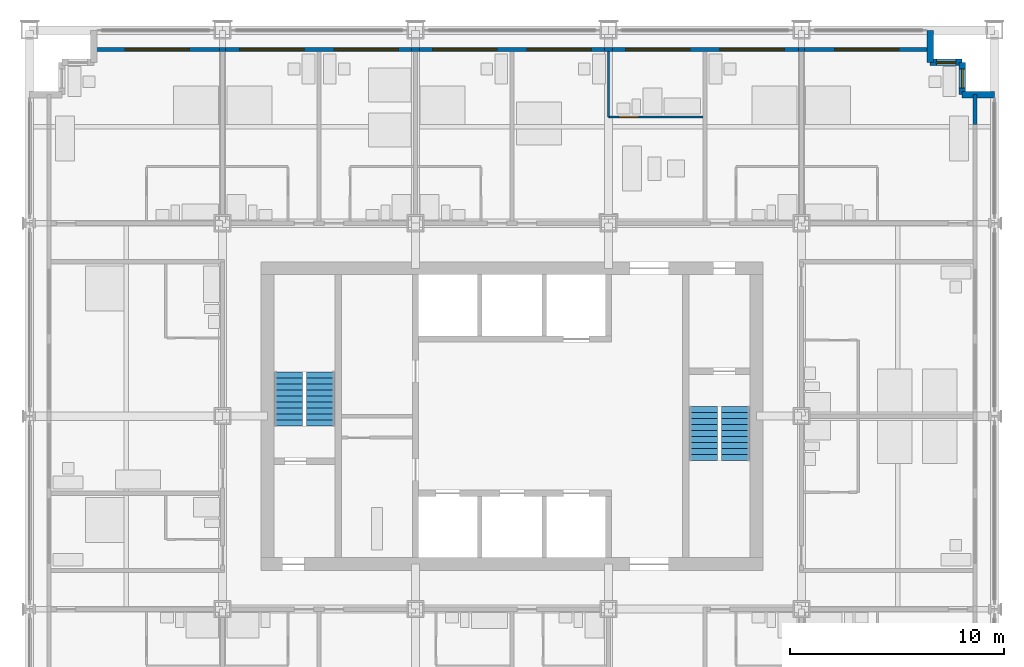
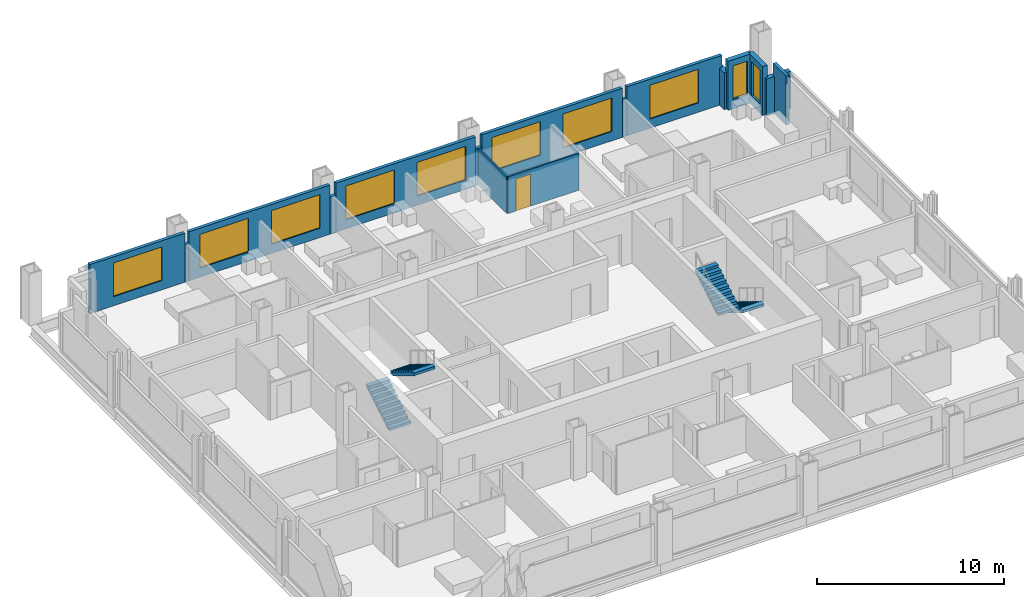
# One storey, part 13 of 16: 16 walls, 10 windows, 4 stair flights, 1 door, 11 openings, 2 elements without a shape of their own.
"""IFC4 building model written with IfcOpenShell, lengths in metres."""

from ifc_helpers import new_model, si_unit, direction, frame, frame_2d, origin, place, context, subcontext, project, spatial, polyline, rectangle, outline, extrude, material, layer, layer_set, type_object, element, fill, aggregate, save


model = new_model("IFC4")

# Units and contexts
model_context = context("Model", 3, precision=1e-05, world=origin(), true_north=direction((0.0, 1.0)))
body_context = subcontext(model_context, "Body", "Model", "MODEL_VIEW")
ifc_project = project(units=[si_unit("LENGTHUNIT", "METRE"), si_unit("AREAUNIT", "SQUARE_METRE"), si_unit("VOLUMEUNIT", "CUBIC_METRE"), si_unit("PLANEANGLEUNIT", "RADIAN"), si_unit("MASSUNIT", "GRAM", prefix="KILO")], contexts=[model_context])

# Site, building, storey
site_placement = place(None, origin())
site = spatial("IfcSite", under=ifc_project, at=site_placement, CompositionType="ELEMENT")
building_placement = place(site_placement, origin())
building = spatial("IfcBuilding", under=site, at=building_placement, Name="Loomwork Tower", CompositionType="ELEMENT")
storey_placement = place(building_placement, frame((0.0, 0.0, 101.0)))
storey = spatial("IfcBuildingStorey", under=building, at=storey_placement, Name="L26", CompositionType="ELEMENT", Elevation=101.0)

# Wall, opening, door
ifc_material_1 = material(Name="Cement board on steel studs", Category="steel")
ifc_layer_1 = layer(ifc_material_1, 0.10009765625)
ifc_layer_set_1 = layer_set([ifc_layer_1], Name="En-suite partition 100")
wall_type_1 = type_object("IfcWallType", Name="En-suite partition 100", PredefinedType="PARTITIONING", material=ifc_layer_set_1)
wall_1_placement = place(storey_placement, frame((27.0, 31.949951171875, 0.0), z_axis=(0.0, 0.0, 1.0), x_axis=(1.0, 0.0, 0.0)))
wall_1 = element("IfcWall", 1, at=wall_1_placement, inside=storey, type_object=wall_type_1, Name="Spa bathroom wall L26 room 11", PredefinedType="PARTITIONING", context=body_context, shape_type="SweptSolid", body=[
    extrude(rectangle(XDim=4.39990234375, YDim=0.10009765625, at=frame_2d((2.199951171875, 0.0))), origin(), (0.0, 0.0, 1.0), 2.404052734375),
])
opening_1_placement = place(wall_1_placement, frame((0.5, 0.0, 0.0)))
opening_1 = element("IfcOpeningElement", 2, at=opening_1_placement, cuts=wall_1, Name="Opening D2", PredefinedType="OPENING", context=body_context, shape_type="SweptSolid", body=[
    extrude(rectangle(XDim=0.89990234375, YDim=2.10009765625, at=frame_2d((0.449951171875, 1.050048828125))), frame((0.0, 0.06005859375, 0.0), z_axis=(0.0, -1.0, 0.0), x_axis=(1.0, 0.0, 0.0)), (0.0, 0.0, 1.0), 0.1201171875),
])
ifc_material_2 = material(Name="Hollow metal door and frame")
door_type = type_object("IfcDoorType", Name="En-suite door 900", OperationType="SINGLE_SWING_LEFT", PredefinedType="DOOR", material=ifc_material_2)
door_placement = place(opening_1_placement, origin())
door = element("IfcDoor", 3, at=door_placement, inside=storey, type_object=door_type, Name="Spa bathroom door room 11", OperationType="SINGLE_SWING_LEFT", OverallHeight=2.10009765625, OverallWidth=0.89990234375, PredefinedType="DOOR", context=body_context, shape_type="SweptSolid", body=[
    extrude(rectangle(XDim=0.89990234375, YDim=2.10009765625, at=frame_2d((0.449951171875, 1.050048828125))), frame((0.0, 0.02490234375, 0.0), z_axis=(0.0, -1.0, 0.0), x_axis=(1.0, 0.0, 0.0)), (0.0, 0.0, 1.0), 0.050048828125),
])
fill(opening_1, door)

# Wall
wall_2_placement = place(storey_placement, frame((27.0, 31.949951171875, 0.0), z_axis=(0.0, 0.0, 1.0), x_axis=(0.0, 1.0, 0.0)))
element("IfcWall", 4, at=wall_2_placement, inside=storey, type_object=wall_type_1, Name="Spa bathroom side wall L26 room 11", PredefinedType="PARTITIONING", context=body_context, shape_type="SweptSolid", body=[
    extrude(rectangle(XDim=3.050048828125, YDim=0.10009765625, at=frame_2d((1.52490234375, 0.0))), origin(), (0.0, 0.0, 1.0), 2.405029296875),
])

# Wall, opening, window
ifc_material_3 = material(Name="Insulated steel stud wall with gypsum lining", Category="steel")
ifc_layer_2 = layer(ifc_material_3, 0.199951171875)
ifc_layer_set_2 = layer_set([ifc_layer_2], Name="Inner skin wall 200")
wall_type_2 = type_object("IfcWallType", Name="Inner skin wall 200", PredefinedType="SOLIDWALL", material=ifc_layer_set_2)
wall_3_placement = place(storey_placement, frame((3.0, 35.10009765625, 0.0), z_axis=(0.0, 0.0, 1.0), x_axis=(1.0, 0.0, 0.0)))
wall_3 = element("IfcWall", 5, at=wall_3_placement, inside=storey, type_object=wall_type_2, Name="Inner skin wall N", PredefinedType="SOLIDWALL", context=body_context, shape_type="SweptSolid", body=[
    extrude(rectangle(XDim=5.86474609375, YDim=0.199951171875, at=frame_2d((2.932373046875, 0.0))), origin(), (0.0, 0.0, 1.0), 3.199951171875),
])
opening_2_placement = place(wall_3_placement, frame((1.449951171875, 0.0, 0.60009765625)))
opening_2 = element("IfcOpeningElement", 6, at=opening_2_placement, cuts=wall_3, Name="Opening CH1", PredefinedType="OPENING", context=body_context, shape_type="SweptSolid", body=[
    extrude(rectangle(XDim=3.0, YDim=2.199951171875, at=frame_2d((1.5, 1.10009765625))), frame((0.0, 0.10986328125, 0.0), z_axis=(0.0, -1.0, 0.0), x_axis=(1.0, 0.0, 0.0)), (0.0, 0.0, 1.0), 0.219970703125),
])
ifc_material_4 = material(Name="Aluminium frame with clear insulated glass", Category="aluminium")
window_type_1 = type_object("IfcWindowType", Name="Chicago window 3000", PartitioningType="TRIPLE_PANEL_VERTICAL", PredefinedType="WINDOW", material=ifc_material_4)
window_1_placement = place(opening_2_placement, origin())
window_1 = element("IfcWindow", 7, at=window_1_placement, inside=storey, type_object=window_type_1, Name="Chicago window L26 bay 6", OverallHeight=2.199951171875, OverallWidth=3.0, PartitioningType="TRIPLE_PANEL_VERTICAL", PredefinedType="WINDOW", context=body_context, shape_type="SweptSolid", body=[
    extrude(rectangle(XDim=3.0, YDim=2.199951171875, at=frame_2d((1.5, 1.10009765625))), frame((0.0, 0.030029296875, 0.0), z_axis=(0.0, -1.0, 0.0), x_axis=(1.0, 0.0, 0.0)), (0.0, 0.0, 1.0), 0.06005859375),
])
fill(opening_2, window_1)

# Wall
wall_4_placement = place(storey_placement, frame((8.86474609375, 35.10009765625, 0.0), z_axis=(0.0, 0.0, 1.0), x_axis=(1.0, 0.0, 0.0)))
element("IfcWall", 8, at=wall_4_placement, inside=storey, type_object=wall_type_2, Name="Inner skin wall N bay 2", PredefinedType="SOLIDWALL", context=body_context, shape_type="SweptSolid", body=[
    extrude(rectangle(XDim=0.2705078125, YDim=0.199951171875, at=frame_2d((0.13525390625, 0.0))), origin(), (0.0, 0.0, 1.0), 2.43798828125),
])

# Wall, openings, windows
wall_5_placement = place(storey_placement, frame((9.13525390625, 35.10009765625, 0.0), z_axis=(0.0, 0.0, 1.0), x_axis=(1.0, 0.0, 0.0)))
wall_5 = element("IfcWall", 9, at=wall_5_placement, inside=storey, type_object=wall_type_2, Name="Inner skin wall N bay 3", PredefinedType="SOLIDWALL", context=body_context, shape_type="SweptSolid", body=[
    extrude(rectangle(XDim=8.6708984375, YDim=0.199951171875, at=frame_2d((4.33544921875, 0.0))), origin(), (0.0, 0.0, 1.0), 3.199951171875),
])
opening_3_placement = place(wall_5_placement, frame((0.664794921875, 0.0, 0.60009765625)))
opening_3 = element("IfcOpeningElement", 10, at=opening_3_placement, cuts=wall_5, Name="Opening CH1", PredefinedType="OPENING", context=body_context, shape_type="SweptSolid", body=[
    extrude(rectangle(XDim=3.0, YDim=2.199951171875, at=frame_2d((1.5, 1.10009765625))), frame((0.0, 0.10986328125, 0.0), z_axis=(0.0, -1.0, 0.0), x_axis=(1.0, 0.0, 0.0)), (0.0, 0.0, 1.0), 0.219970703125),
])
opening_4_placement = place(wall_5_placement, frame((5.064697265625, 0.0, 0.60009765625)))
opening_4 = element("IfcOpeningElement", 11, at=opening_4_placement, cuts=wall_5, Name="Opening CH1", PredefinedType="OPENING", context=body_context, shape_type="SweptSolid", body=[
    extrude(rectangle(XDim=3.0, YDim=2.199951171875, at=frame_2d((1.5, 1.10009765625))), frame((0.0, 0.10986328125, 0.0), z_axis=(0.0, -1.0, 0.0), x_axis=(1.0, 0.0, 0.0)), (0.0, 0.0, 1.0), 0.219970703125),
])
window_2_placement = place(opening_3_placement, origin())
window_2 = element("IfcWindow", 12, at=window_2_placement, inside=storey, type_object=window_type_1, Name="Chicago window L26 bay 7", OverallHeight=2.199951171875, OverallWidth=3.0, PartitioningType="TRIPLE_PANEL_VERTICAL", PredefinedType="WINDOW", context=body_context, shape_type="SweptSolid", body=[
    extrude(rectangle(XDim=3.0, YDim=2.199951171875, at=frame_2d((1.5, 1.10009765625))), frame((0.0, 0.030029296875, 0.0), z_axis=(0.0, -1.0, 0.0), x_axis=(1.0, 0.0, 0.0)), (0.0, 0.0, 1.0), 0.06005859375),
])
fill(opening_3, window_2)
window_3_placement = place(opening_4_placement, origin())
window_3 = element("IfcWindow", 13, at=window_3_placement, inside=storey, type_object=window_type_1, Name="Chicago window L26 bay 7", OverallHeight=2.199951171875, OverallWidth=3.0, PartitioningType="TRIPLE_PANEL_VERTICAL", PredefinedType="WINDOW", context=body_context, shape_type="SweptSolid", body=[
    extrude(rectangle(XDim=3.0, YDim=2.199951171875, at=frame_2d((1.5, 1.10009765625))), frame((0.0, 0.030029296875, 0.0), z_axis=(0.0, -1.0, 0.0), x_axis=(1.0, 0.0, 0.0)), (0.0, 0.0, 1.0), 0.06005859375),
])
fill(opening_4, window_3)

# Wall
wall_6_placement = place(storey_placement, frame((17.80615234375, 35.10009765625, 0.0), z_axis=(0.0, 0.0, 1.0), x_axis=(1.0, 0.0, 0.0)))
element("IfcWall", 14, at=wall_6_placement, inside=storey, type_object=wall_type_2, Name="Inner skin wall N bay 4", PredefinedType="SOLIDWALL", context=body_context, shape_type="SweptSolid", body=[
    extrude(rectangle(XDim=0.3876953125, YDim=0.199951171875, at=frame_2d((0.19384765625, 0.0))), origin(), (0.0, 0.0, 1.0), 2.404052734375),
])

# Wall, openings, windows
wall_7_placement = place(storey_placement, frame((18.19384765625, 35.10009765625, 0.0), z_axis=(0.0, 0.0, 1.0), x_axis=(1.0, 0.0, 0.0)))
wall_7 = element("IfcWall", 15, at=wall_7_placement, inside=storey, type_object=wall_type_2, Name="Inner skin wall N bay 5", PredefinedType="SOLIDWALL", context=body_context, shape_type="SweptSolid", body=[
    extrude(rectangle(XDim=8.6123046875, YDim=0.199951171875, at=frame_2d((4.30615234375, 0.0))), origin(), (0.0, 0.0, 1.0), 3.199951171875),
])
opening_5_placement = place(wall_7_placement, frame((0.606201171875, 0.0, 0.60009765625)))
opening_5 = element("IfcOpeningElement", 16, at=opening_5_placement, cuts=wall_7, Name="Opening CH1", PredefinedType="OPENING", context=body_context, shape_type="SweptSolid", body=[
    extrude(rectangle(XDim=3.0, YDim=2.199951171875, at=frame_2d((1.5, 1.10009765625))), frame((0.0, 0.10986328125, 0.0), z_axis=(0.0, -1.0, 0.0), x_axis=(1.0, 0.0, 0.0)), (0.0, 0.0, 1.0), 0.219970703125),
])
opening_6_placement = place(wall_7_placement, frame((5.006103515625, 0.0, 0.60009765625)))
opening_6 = element("IfcOpeningElement", 17, at=opening_6_placement, cuts=wall_7, Name="Opening CH1", PredefinedType="OPENING", context=body_context, shape_type="SweptSolid", body=[
    extrude(rectangle(XDim=3.0, YDim=2.199951171875, at=frame_2d((1.5, 1.10009765625))), frame((0.0, 0.10986328125, 0.0), z_axis=(0.0, -1.0, 0.0), x_axis=(1.0, 0.0, 0.0)), (0.0, 0.0, 1.0), 0.219970703125),
])
window_4_placement = place(opening_5_placement, origin())
window_4 = element("IfcWindow", 18, at=window_4_placement, inside=storey, type_object=window_type_1, Name="Chicago window L26 bay 8", OverallHeight=2.199951171875, OverallWidth=3.0, PartitioningType="TRIPLE_PANEL_VERTICAL", PredefinedType="WINDOW", context=body_context, shape_type="SweptSolid", body=[
    extrude(rectangle(XDim=3.0, YDim=2.199951171875, at=frame_2d((1.5, 1.10009765625))), frame((0.0, 0.030029296875, 0.0), z_axis=(0.0, -1.0, 0.0), x_axis=(1.0, 0.0, 0.0)), (0.0, 0.0, 1.0), 0.06005859375),
])
fill(opening_5, window_4)
window_5_placement = place(opening_6_placement, origin())
window_5 = element("IfcWindow", 19, at=window_5_placement, inside=storey, type_object=window_type_1, Name="Chicago window L26 bay 8", OverallHeight=2.199951171875, OverallWidth=3.0, PartitioningType="TRIPLE_PANEL_VERTICAL", PredefinedType="WINDOW", context=body_context, shape_type="SweptSolid", body=[
    extrude(rectangle(XDim=3.0, YDim=2.199951171875, at=frame_2d((1.5, 1.10009765625))), frame((0.0, 0.030029296875, 0.0), z_axis=(0.0, -1.0, 0.0), x_axis=(1.0, 0.0, 0.0)), (0.0, 0.0, 1.0), 0.06005859375),
])
fill(opening_6, window_5)

# Wall
wall_8_placement = place(storey_placement, frame((26.80615234375, 35.10009765625, 0.0), z_axis=(0.0, 0.0, 1.0), x_axis=(1.0, 0.0, 0.0)))
element("IfcWall", 20, at=wall_8_placement, inside=storey, type_object=wall_type_2, Name="Inner skin wall N bay 6", PredefinedType="SOLIDWALL", context=body_context, shape_type="SweptSolid", body=[
    extrude(rectangle(XDim=0.3876953125, YDim=0.199951171875, at=frame_2d((0.19384765625, 0.0))), origin(), (0.0, 0.0, 1.0), 2.404052734375),
])

# Wall, openings, windows
wall_9_placement = place(storey_placement, frame((27.19384765625, 35.10009765625, 0.0), z_axis=(0.0, 0.0, 1.0), x_axis=(1.0, 0.0, 0.0)))
wall_9 = element("IfcWall", 21, at=wall_9_placement, inside=storey, type_object=wall_type_2, Name="Inner skin wall N bay 7", PredefinedType="SOLIDWALL", context=body_context, shape_type="SweptSolid", body=[
    extrude(rectangle(XDim=8.670654296875, YDim=0.199951171875, at=frame_2d((4.33544921875, 0.0))), origin(), (0.0, 0.0, 1.0), 3.199951171875),
])
opening_7_placement = place(wall_9_placement, frame((0.606201171875, 0.0, 0.60009765625)))
opening_7 = element("IfcOpeningElement", 22, at=opening_7_placement, cuts=wall_9, Name="Opening CH1", PredefinedType="OPENING", context=body_context, shape_type="SweptSolid", body=[
    extrude(rectangle(XDim=3.0, YDim=2.199951171875, at=frame_2d((1.5, 1.10009765625))), frame((0.0, 0.10986328125, 0.0), z_axis=(0.0, -1.0, 0.0), x_axis=(1.0, 0.0, 0.0)), (0.0, 0.0, 1.0), 0.219970703125),
])
opening_8_placement = place(wall_9_placement, frame((5.006103515625, 0.0, 0.60009765625)))
opening_8 = element("IfcOpeningElement", 23, at=opening_8_placement, cuts=wall_9, Name="Opening CH1", PredefinedType="OPENING", context=body_context, shape_type="SweptSolid", body=[
    extrude(rectangle(XDim=3.0, YDim=2.199951171875, at=frame_2d((1.5, 1.10009765625))), frame((0.0, 0.10986328125, 0.0), z_axis=(0.0, -1.0, 0.0), x_axis=(1.0, 0.0, 0.0)), (0.0, 0.0, 1.0), 0.219970703125),
])
window_6_placement = place(opening_7_placement, origin())
window_6 = element("IfcWindow", 24, at=window_6_placement, inside=storey, type_object=window_type_1, Name="Chicago window L26 bay 9", OverallHeight=2.199951171875, OverallWidth=3.0, PartitioningType="TRIPLE_PANEL_VERTICAL", PredefinedType="WINDOW", context=body_context, shape_type="SweptSolid", body=[
    extrude(rectangle(XDim=3.0, YDim=2.199951171875, at=frame_2d((1.5, 1.10009765625))), frame((0.0, 0.030029296875, 0.0), z_axis=(0.0, -1.0, 0.0), x_axis=(1.0, 0.0, 0.0)), (0.0, 0.0, 1.0), 0.06005859375),
])
fill(opening_7, window_6)
window_7_placement = place(opening_8_placement, origin())
window_7 = element("IfcWindow", 25, at=window_7_placement, inside=storey, type_object=window_type_1, Name="Chicago window L26 bay 9", OverallHeight=2.199951171875, OverallWidth=3.0, PartitioningType="TRIPLE_PANEL_VERTICAL", PredefinedType="WINDOW", context=body_context, shape_type="SweptSolid", body=[
    extrude(rectangle(XDim=3.0, YDim=2.199951171875, at=frame_2d((1.5, 1.10009765625))), frame((0.0, 0.030029296875, 0.0), z_axis=(0.0, -1.0, 0.0), x_axis=(1.0, 0.0, 0.0)), (0.0, 0.0, 1.0), 0.06005859375),
])
fill(opening_8, window_7)

# Wall
wall_10_placement = place(storey_placement, frame((35.864501953125, 35.10009765625, 0.0), z_axis=(0.0, 0.0, 1.0), x_axis=(1.0, 0.0, 0.0)))
element("IfcWall", 26, at=wall_10_placement, inside=storey, type_object=wall_type_2, Name="Inner skin wall N bay 8", PredefinedType="SOLIDWALL", context=body_context, shape_type="SweptSolid", body=[
    extrude(rectangle(XDim=0.27099609375, YDim=0.199951171875, at=frame_2d((0.135498046875, 0.0))), origin(), (0.0, 0.0, 1.0), 2.43798828125),
])

# Wall, opening, window
wall_11_placement = place(storey_placement, frame((36.135498046875, 35.10009765625, 0.0), z_axis=(0.0, 0.0, 1.0), x_axis=(1.0, 0.0, 0.0)))
wall_11 = element("IfcWall", 27, at=wall_11_placement, inside=storey, type_object=wall_type_2, Name="Inner skin wall N bay 9", PredefinedType="SOLIDWALL", context=body_context, shape_type="SweptSolid", body=[
    extrude(rectangle(XDim=5.864501953125, YDim=0.199951171875, at=frame_2d((2.93212890625, 0.0))), origin(), (0.0, 0.0, 1.0), 3.199951171875),
])
opening_9_placement = place(wall_11_placement, frame((1.41455078125, 0.0, 0.60009765625)))
opening_9 = element("IfcOpeningElement", 28, at=opening_9_placement, cuts=wall_11, Name="Opening CH1", PredefinedType="OPENING", context=body_context, shape_type="SweptSolid", body=[
    extrude(rectangle(XDim=3.0, YDim=2.199951171875, at=frame_2d((1.5, 1.10009765625))), frame((0.0, 0.10986328125, 0.0), z_axis=(0.0, -1.0, 0.0), x_axis=(1.0, 0.0, 0.0)), (0.0, 0.0, 1.0), 0.219970703125),
])
window_8_placement = place(opening_9_placement, origin())
window_8 = element("IfcWindow", 29, at=window_8_placement, inside=storey, type_object=window_type_1, Name="Chicago window L26 bay 10", OverallHeight=2.199951171875, OverallWidth=3.0, PartitioningType="TRIPLE_PANEL_VERTICAL", PredefinedType="WINDOW", context=body_context, shape_type="SweptSolid", body=[
    extrude(rectangle(XDim=3.0, YDim=2.199951171875, at=frame_2d((1.5, 1.10009765625))), frame((0.0, 0.030029296875, 0.0), z_axis=(0.0, -1.0, 0.0), x_axis=(1.0, 0.0, 0.0)), (0.0, 0.0, 1.0), 0.06005859375),
])
fill(opening_9, window_8)

# Walls
wall_12_placement = place(storey_placement, frame((44.10009765625, 31.607421875, 0.0), z_axis=(0.0, 0.0, 1.0), x_axis=(0.0, 1.0, 0.0)))
element("IfcWall", 30, at=wall_12_placement, inside=storey, type_object=wall_type_2, Name="Inner skin wall E bay 11", PredefinedType="SOLIDWALL", context=body_context, shape_type="SweptSolid", body=[
    extrude(rectangle(XDim=1.392578125, YDim=0.199951171875, at=frame_2d((0.6962890625, 0.0))), origin(), (0.0, 0.0, 1.0), 3.199951171875),
])
ifc_material_5 = material(Name="Limestone on concrete masonry", Category="masonry")
ifc_layer_3 = layer(ifc_material_5, 0.300048828125)
ifc_layer_set_3 = layer_set([ifc_layer_3], Name="Limestone corner wall 300")
wall_type_3 = type_object("IfcWallType", Name="Limestone corner wall 300", PredefinedType="SOLIDWALL", material=ifc_layer_set_3)
wall_13_placement = place(storey_placement, frame((45.0, 33.0, 0.0), z_axis=(0.0, 0.0, 1.0), x_axis=(-1.0, 0.0, 0.0)))
element("IfcWall", 31, at=wall_13_placement, inside=storey, type_object=wall_type_3, Name="Stone corner wall NE 1", PredefinedType="SOLIDWALL", context=body_context, shape_type="SweptSolid", body=[
    extrude(rectangle(XDim=1.5, YDim=0.300048828125, at=frame_2d((0.75, 0.0))), origin(), (0.0, 0.0, 1.0), 2.419921875),
])

# Wall, opening, window
wall_14_placement = place(storey_placement, frame((43.5, 33.0, 0.0), z_axis=(0.0, 0.0, 1.0), x_axis=(0.0, 1.0, 0.0)))
wall_14 = element("IfcWall", 32, at=wall_14_placement, inside=storey, type_object=wall_type_3, Name="Stone corner wall NE 2", PredefinedType="SOLIDWALL", context=body_context, shape_type="SweptSolid", body=[
    extrude(rectangle(XDim=1.5, YDim=0.300048828125, at=frame_2d((0.75, 0.0))), origin(), (0.0, 0.0, 1.0), 3.199951171875),
])
opening_10_placement = place(wall_14_placement, frame((0.300048828125, 0.0, 0.60009765625)))
opening_10 = element("IfcOpeningElement", 33, at=opening_10_placement, cuts=wall_14, Name="Opening CH2", PredefinedType="OPENING", context=body_context, shape_type="SweptSolid", body=[
    extrude(rectangle(XDim=0.89990234375, YDim=2.199951171875, at=frame_2d((0.449951171875, 1.10009765625))), frame((0.0, 0.159912109375, 0.0), z_axis=(0.0, -1.0, 0.0), x_axis=(1.0, 0.0, 0.0)), (0.0, 0.0, 1.0), 0.320068359375),
])
ifc_material_6 = material(Name="Aluminium frame with clear insulated glass", Category="aluminium")
window_type_2 = type_object("IfcWindowType", Name="Corner window 900", PartitioningType="SINGLE_PANEL", PredefinedType="WINDOW", material=ifc_material_6)
window_9_placement = place(opening_10_placement, origin())
window_9 = element("IfcWindow", 34, at=window_9_placement, inside=storey, type_object=window_type_2, Name="Corner window NE", OverallHeight=2.199951171875, OverallWidth=0.89990234375, PartitioningType="SINGLE_PANEL", PredefinedType="WINDOW", context=body_context, shape_type="SweptSolid", body=[
    extrude(rectangle(XDim=0.89990234375, YDim=2.199951171875, at=frame_2d((0.449951171875, 1.10009765625))), frame((0.0, 0.030029296875, 0.0), z_axis=(0.0, -1.0, 0.0), x_axis=(1.0, 0.0, 0.0)), (0.0, 0.0, 1.0), 0.06005859375),
])
fill(opening_10, window_9)

wall_15_placement = place(storey_placement, frame((43.5, 34.5, 0.0), z_axis=(0.0, 0.0, 1.0), x_axis=(-1.0, 0.0, 0.0)))
wall_15 = element("IfcWall", 35, at=wall_15_placement, inside=storey, type_object=wall_type_3, Name="Stone corner wall NE 3", PredefinedType="SOLIDWALL", context=body_context, shape_type="SweptSolid", body=[
    extrude(rectangle(XDim=1.5, YDim=0.300048828125, at=frame_2d((0.75, 0.0))), origin(), (0.0, 0.0, 1.0), 3.199951171875),
])
opening_11_placement = place(wall_15_placement, frame((0.300048828125, 0.0, 0.60009765625)))
opening_11 = element("IfcOpeningElement", 36, at=opening_11_placement, cuts=wall_15, Name="Opening CH2", PredefinedType="OPENING", context=body_context, shape_type="SweptSolid", body=[
    extrude(rectangle(XDim=0.89990234375, YDim=2.199951171875, at=frame_2d((0.449951171875, 1.10009765625))), frame((0.0, 0.159912109375, 0.0), z_axis=(0.0, -1.0, 0.0), x_axis=(1.0, 0.0, 0.0)), (0.0, 0.0, 1.0), 0.320068359375),
])
window_10_placement = place(opening_11_placement, origin())
window_10 = element("IfcWindow", 37, at=window_10_placement, inside=storey, type_object=window_type_2, Name="Corner window NE", OverallHeight=2.199951171875, OverallWidth=0.89990234375, PartitioningType="SINGLE_PANEL", PredefinedType="WINDOW", context=body_context, shape_type="SweptSolid", body=[
    extrude(rectangle(XDim=0.89990234375, YDim=2.199951171875, at=frame_2d((0.449951171875, 1.10009765625))), frame((0.0, 0.030029296875, 0.0), z_axis=(0.0, -1.0, 0.0), x_axis=(1.0, 0.0, 0.0)), (0.0, 0.0, 1.0), 0.06005859375),
])
fill(opening_11, window_10)

# Wall
wall_16_placement = place(storey_placement, frame((42.0, 34.5, 0.0), z_axis=(0.0, 0.0, 1.0), x_axis=(0.0, 1.0, 0.0)))
element("IfcWall", 38, at=wall_16_placement, inside=storey, type_object=wall_type_3, Name="Stone corner wall NE 4", PredefinedType="SOLIDWALL", context=body_context, shape_type="SweptSolid", body=[
    extrude(rectangle(XDim=1.5, YDim=0.300048828125, at=frame_2d((0.75, 0.0))), origin(), (0.0, 0.0, 1.0), 2.419921875),
])

# Stair, stair flights
ifc_material_7 = material(Name="Concrete 5000 psi (34 MPa) precast stair", Category="concrete")
stair_type_1 = type_object("IfcStairType", Name="Stair ST-A 20 risers 2850 wide", PredefinedType="HALF_TURN_STAIR", material=ifc_material_7)
stair_1_placement = place(storey_placement, origin())
stair_1 = element("IfcStair", 39, at=stair_1_placement, inside=storey, type_object=stair_type_1, Name="Stair A L26", PredefinedType="HALF_TURN_STAIR")
ifc_material_8 = material(Name="Concrete 5000 psi (34 MPa) precast stair", Category="concrete")
stair_flight_type_1 = type_object("IfcStairFlightType", Name="Stair flight ST-A 10 risers 1300 wide", PredefinedType="STRAIGHT", material=ifc_material_8)
stair_flight_1_placement = place(storey_placement, frame((12.074951171875, 17.550048828125, 0.0), z_axis=(0.0, 0.0, 1.0), x_axis=(0.0, 1.0, 0.0)))
stair_flight_1 = element("IfcStairFlight", 40, at=stair_flight_1_placement, type_object=stair_flight_type_1, Name="ST-A flight 1", NumberOfRisers=10, NumberOfTreads=9, PredefinedType="STRAIGHT", RiserHeight=0.17, TreadLength=0.28, context=body_context, shape_type="SweptSolid", body=[
    extrude(outline(polyline([(0.0, 0.0), (0.0, 0.169921875), (0.280029296875, 0.169921875), (0.280029296875, 0.340087890625), (0.56005859375, 0.340087890625), (0.56005859375, 0.510009765625), (0.840087890625, 0.510009765625), (0.840087890625, 0.679931640625), (1.1201171875, 0.679931640625), (1.1201171875, 0.85009765625), (1.39990234375, 0.85009765625), (1.39990234375, 1.02001953125), (1.679931640625, 1.02001953125), (1.679931640625, 1.18994140625), (1.9599609375, 1.18994140625), (1.9599609375, 1.360107421875), (2.239990234375, 1.360107421875), (2.239990234375, 1.530029296875), (2.52001953125, 1.530029296875), (2.52001953125, 1.699951171875), (2.52001953125, 1.354736328125), (0.288818359375, 0.0), (0.0, 0.0)])), frame((0.0, 0.64990234375, 0.0), z_axis=(0.0, -1.0, 0.0), x_axis=(1.0, 0.0, 0.0)), (0.0, 0.0, 1.0), 1.300048828125),
])
stair_flight_2_placement = place(storey_placement, frame((13.574951171875, 20.070068359375, 1.699951171875), z_axis=(0.0, 0.0, 1.0), x_axis=(0.0, -1.0, 0.0)))
stair_flight_2 = element("IfcStairFlight", 41, at=stair_flight_2_placement, type_object=stair_flight_type_1, Name="ST-A flight 2", NumberOfRisers=10, NumberOfTreads=9, PredefinedType="STRAIGHT", RiserHeight=0.17, TreadLength=0.28, context=body_context, shape_type="SweptSolid", body=[
    extrude(outline(polyline([(0.0, 0.0), (0.0, 0.169921875), (0.280029296875, 0.169921875), (0.280029296875, 0.340087890625), (0.56005859375, 0.340087890625), (0.56005859375, 0.510009765625), (0.840087890625, 0.510009765625), (0.840087890625, 0.679931640625), (1.1201171875, 0.679931640625), (1.1201171875, 0.85009765625), (1.39990234375, 0.85009765625), (1.39990234375, 1.02001953125), (1.679931640625, 1.02001953125), (1.679931640625, 1.18994140625), (1.9599609375, 1.18994140625), (1.9599609375, 1.360107421875), (2.239990234375, 1.360107421875), (2.239990234375, 1.530029296875), (2.52001953125, 1.530029296875), (2.52001953125, 1.699951171875), (2.52001953125, 1.354736328125), (0.288818359375, 0.0), (0.0, 0.0)])), frame((0.0, 0.64990234375, 0.0), z_axis=(0.0, -1.0, 0.0), x_axis=(1.0, 0.0, 0.0)), (0.0, 0.0, 1.0), 1.300048828125),
])
aggregate(stair_1, [stair_flight_1, stair_flight_2])

ifc_material_9 = material(Name="Concrete 5000 psi (34 MPa) precast stair", Category="concrete")
stair_type_2 = type_object("IfcStairType", Name="Stair ST-B 20 risers 2850 wide", PredefinedType="HALF_TURN_STAIR", material=ifc_material_9)
stair_2_placement = place(storey_placement, origin())
stair_2 = element("IfcStair", 42, at=stair_2_placement, inside=storey, type_object=stair_type_2, Name="Stair B L26", PredefinedType="HALF_TURN_STAIR")
ifc_material_10 = material(Name="Concrete 5000 psi (34 MPa) precast stair", Category="concrete")
stair_flight_type_2 = type_object("IfcStairFlightType", Name="Stair flight ST-B 10 risers 1300 wide", PredefinedType="STRAIGHT", material=ifc_material_10)
stair_flight_3_placement = place(storey_placement, frame((32.925048828125, 18.449951171875, 0.0), z_axis=(0.0, 0.0, 1.0), x_axis=(0.0, -1.0, 0.0)))
stair_flight_3 = element("IfcStairFlight", 43, at=stair_flight_3_placement, type_object=stair_flight_type_2, Name="ST-B flight 1", NumberOfRisers=10, NumberOfTreads=9, PredefinedType="STRAIGHT", RiserHeight=0.17, TreadLength=0.28, context=body_context, shape_type="SweptSolid", body=[
    extrude(outline(polyline([(0.0, 0.0), (0.0, 0.169921875), (0.280029296875, 0.169921875), (0.280029296875, 0.340087890625), (0.56005859375, 0.340087890625), (0.56005859375, 0.510009765625), (0.840087890625, 0.510009765625), (0.840087890625, 0.679931640625), (1.1201171875, 0.679931640625), (1.1201171875, 0.85009765625), (1.39990234375, 0.85009765625), (1.39990234375, 1.02001953125), (1.679931640625, 1.02001953125), (1.679931640625, 1.18994140625), (1.9599609375, 1.18994140625), (1.9599609375, 1.360107421875), (2.239990234375, 1.360107421875), (2.239990234375, 1.530029296875), (2.52001953125, 1.530029296875), (2.52001953125, 1.699951171875), (2.52001953125, 1.354736328125), (0.288818359375, 0.0), (0.0, 0.0)])), frame((0.0, 0.64990234375, 0.0), z_axis=(0.0, -1.0, 0.0), x_axis=(1.0, 0.0, 0.0)), (0.0, 0.0, 1.0), 1.300048828125),
])
stair_flight_4_placement = place(storey_placement, frame((31.425048828125, 15.929931640625, 1.699951171875), z_axis=(0.0, 0.0, 1.0), x_axis=(0.0, 1.0, 0.0)))
stair_flight_4 = element("IfcStairFlight", 44, at=stair_flight_4_placement, type_object=stair_flight_type_2, Name="ST-B flight 2", NumberOfRisers=10, NumberOfTreads=9, PredefinedType="STRAIGHT", RiserHeight=0.17, TreadLength=0.28, context=body_context, shape_type="SweptSolid", body=[
    extrude(outline(polyline([(0.0, 0.0), (0.0, 0.169921875), (0.280029296875, 0.169921875), (0.280029296875, 0.340087890625), (0.56005859375, 0.340087890625), (0.56005859375, 0.510009765625), (0.840087890625, 0.510009765625), (0.840087890625, 0.679931640625), (1.1201171875, 0.679931640625), (1.1201171875, 0.85009765625), (1.39990234375, 0.85009765625), (1.39990234375, 1.02001953125), (1.679931640625, 1.02001953125), (1.679931640625, 1.18994140625), (1.9599609375, 1.18994140625), (1.9599609375, 1.360107421875), (2.239990234375, 1.360107421875), (2.239990234375, 1.530029296875), (2.52001953125, 1.530029296875), (2.52001953125, 1.699951171875), (2.52001953125, 1.354736328125), (0.288818359375, 0.0), (0.0, 0.0)])), frame((0.0, 0.64990234375, 0.0), z_axis=(0.0, -1.0, 0.0), x_axis=(1.0, 0.0, 0.0)), (0.0, 0.0, 1.0), 1.300048828125),
])
aggregate(stair_2, [stair_flight_3, stair_flight_4])

save(model, "model.ifc")
